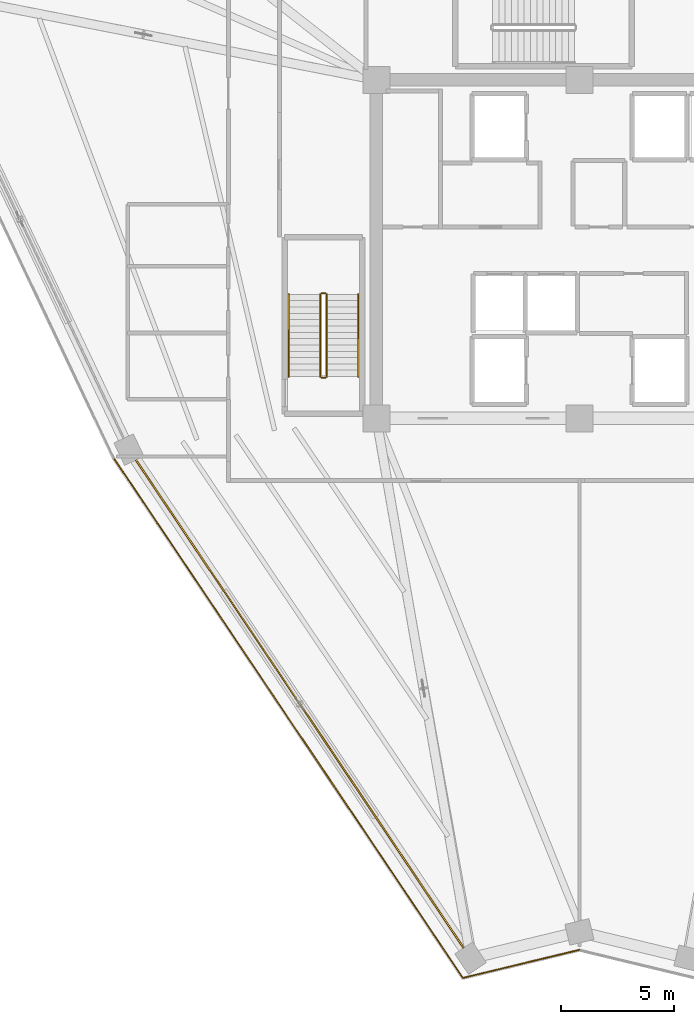
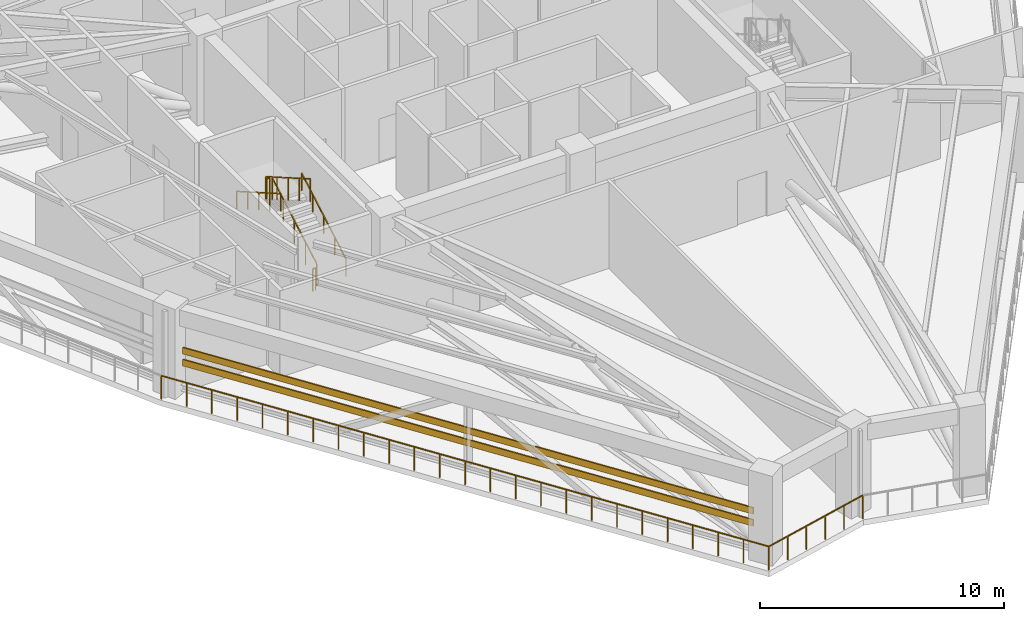
# One storey, part 18 of 22: 8 railings, 2 shading devices.
"""IFC4 building model written with IfcOpenShell, lengths in metres."""

from ifc_helpers import new_model, si_unit, direction, frame, origin, origin_2d, place, context, subcontext, project, spatial, rectangle, extrude, source, transform, mapped, material, material_profile, profile_set, type_object, element, save


model = new_model("IFC4")

# Units and contexts
model_context = context("Model", 3, precision=1e-05, world=origin(), true_north=direction((0.0, 1.0)))
body_context = subcontext(model_context, "Body", "Model", "MODEL_VIEW")
ifc_project = project(units=[si_unit("LENGTHUNIT", "METRE"), si_unit("AREAUNIT", "SQUARE_METRE"), si_unit("VOLUMEUNIT", "CUBIC_METRE"), si_unit("PLANEANGLEUNIT", "RADIAN"), si_unit("MASSUNIT", "GRAM", prefix="KILO")], contexts=[model_context])

# Site, building, storey
site_placement = place(None, origin())
site = spatial("IfcSite", under=ifc_project, at=site_placement, CompositionType="ELEMENT")
building_placement = place(site_placement, origin())
building = spatial("IfcBuilding", under=site, at=building_placement, Name="Liaohun Quay Tower", CompositionType="ELEMENT")
storey_placement = place(building_placement, frame((0.0, 0.0, 324.0)))
storey = spatial("IfcBuildingStorey", under=building, at=storey_placement, Name="L84", CompositionType="ELEMENT", Elevation=324.0)

# Railings
ifc_material_1 = material(Name="Galvanised and powder-coated steel", Category="steel")
railing_type_1 = type_object("IfcRailingType", Name="RLG-GUARD-EXT", PredefinedType="GUARDRAIL", material=ifc_material_1)
railing_1_placement = place(storey_placement, frame((54.8359375, 21.697021484375, 0.0)))
element("IfcRailing", 1, at=railing_1_placement, inside=storey, type_object=railing_type_1, Name="L84 Open Refuge Band Perimeter Guardrail 01", PredefinedType="GUARDRAIL", context=body_context, shape_type="SweptSolid", body=[
    extrude(rectangle(XDim=0.048095703125, YDim=0.048095703125, at=origin_2d()), frame((0.0, 0.0, 1.17578125), z_axis=(-0.557590210196, 0.83011635178, 0.0), x_axis=(-0.83011635178, -0.557590210196, 0.0)), (0.0, 0.0, 1.0), 27.747802734375),
    extrude(rectangle(XDim=0.0419921875, YDim=0.0419921875, at=origin_2d()), origin(), (0.0, 0.0, 1.0), 1.15185546875),
    extrude(rectangle(XDim=0.0419921875, YDim=0.0419921875, at=origin_2d()), frame((-0.644775390625, 0.959716796875, 0.0)), (0.0, 0.0, 1.0), 1.15185546875),
    extrude(rectangle(XDim=0.0419921875, YDim=0.0419921875, at=origin_2d()), frame((-1.289306640625, 1.91943359375, 0.0)), (0.0, 0.0, 1.0), 1.15185546875),
    extrude(rectangle(XDim=0.0419921875, YDim=0.0419921875, at=origin_2d()), frame((-1.93408203125, 2.879150390625, 0.0)), (0.0, 0.0, 1.0), 1.15185546875),
    extrude(rectangle(XDim=0.0419921875, YDim=0.0419921875, at=origin_2d()), frame((-2.57861328125, 3.8388671875, 0.0)), (0.0, 0.0, 1.0), 1.15185546875),
    extrude(rectangle(XDim=0.0419921875, YDim=0.0419921875, at=origin_2d()), frame((-3.223388671875, 4.798828125, 0.0)), (0.0, 0.0, 1.0), 1.15185546875),
    extrude(rectangle(XDim=0.0419921875, YDim=0.0419921875, at=origin_2d()), frame((-3.867919921875, 5.758544921875, 0.0)), (0.0, 0.0, 1.0), 1.15185546875),
    extrude(rectangle(XDim=0.0419921875, YDim=0.0419921875, at=origin_2d()), frame((-4.5126953125, 6.71826171875, 0.0)), (0.0, 0.0, 1.0), 1.15185546875),
    extrude(rectangle(XDim=0.0419921875, YDim=0.0419921875, at=origin_2d()), frame((-5.1572265625, 7.677978515625, 0.0)), (0.0, 0.0, 1.0), 1.15185546875),
    extrude(rectangle(XDim=0.0419921875, YDim=0.0419921875, at=origin_2d()), frame((-5.802001953125, 8.6376953125, 0.0)), (0.0, 0.0, 1.0), 1.15185546875),
    extrude(rectangle(XDim=0.0419921875, YDim=0.0419921875, at=origin_2d()), frame((-6.446533203125, 9.597412109375, 0.0)), (0.0, 0.0, 1.0), 1.15185546875),
    extrude(rectangle(XDim=0.0419921875, YDim=0.0419921875, at=origin_2d()), frame((-7.09130859375, 10.55712890625, 0.0)), (0.0, 0.0, 1.0), 1.15185546875),
    extrude(rectangle(XDim=0.0419921875, YDim=0.0419921875, at=origin_2d()), frame((-7.73583984375, 11.51708984375, 0.0)), (0.0, 0.0, 1.0), 1.15185546875),
    extrude(rectangle(XDim=0.0419921875, YDim=0.0419921875, at=origin_2d()), frame((-8.380615234375, 12.476806640625, 0.0)), (0.0, 0.0, 1.0), 1.15185546875),
    extrude(rectangle(XDim=0.0419921875, YDim=0.0419921875, at=origin_2d()), frame((-9.025390625, 13.4365234375, 0.0)), (0.0, 0.0, 1.0), 1.15185546875),
    extrude(rectangle(XDim=0.0419921875, YDim=0.0419921875, at=origin_2d()), frame((-9.669921875, 14.396240234375, 0.0)), (0.0, 0.0, 1.0), 1.15185546875),
    extrude(rectangle(XDim=0.0419921875, YDim=0.0419921875, at=origin_2d()), frame((-10.314697265625, 15.35595703125, 0.0)), (0.0, 0.0, 1.0), 1.15185546875),
    extrude(rectangle(XDim=0.0419921875, YDim=0.0419921875, at=origin_2d()), frame((-10.959228515625, 16.315673828125, 0.0)), (0.0, 0.0, 1.0), 1.15185546875),
    extrude(rectangle(XDim=0.0419921875, YDim=0.0419921875, at=origin_2d()), frame((-11.60400390625, 17.275390625, 0.0)), (0.0, 0.0, 1.0), 1.15185546875),
    extrude(rectangle(XDim=0.0419921875, YDim=0.0419921875, at=origin_2d()), frame((-12.24853515625, 18.235107421875, 0.0)), (0.0, 0.0, 1.0), 1.15185546875),
    extrude(rectangle(XDim=0.0419921875, YDim=0.0419921875, at=origin_2d()), frame((-12.893310546875, 19.19482421875, 0.0)), (0.0, 0.0, 1.0), 1.15185546875),
    extrude(rectangle(XDim=0.0419921875, YDim=0.0419921875, at=origin_2d()), frame((-13.537841796875, 20.15478515625, 0.0)), (0.0, 0.0, 1.0), 1.15185546875),
    extrude(rectangle(XDim=0.0419921875, YDim=0.0419921875, at=origin_2d()), frame((-14.1826171875, 21.114501953125, 0.0)), (0.0, 0.0, 1.0), 1.15185546875),
    extrude(rectangle(XDim=0.0419921875, YDim=0.0419921875, at=origin_2d()), frame((-14.8271484375, 22.07421875, 0.0)), (0.0, 0.0, 1.0), 1.15185546875),
    extrude(rectangle(XDim=0.0419921875, YDim=0.0419921875, at=origin_2d()), frame((-15.471923828125, 23.033935546875, 0.0)), (0.0, 0.0, 1.0), 1.15185546875),
])
railing_2_placement = place(storey_placement, frame((60.0, 22.943115234375, 0.0)))
element("IfcRailing", 2, at=railing_2_placement, inside=storey, type_object=railing_type_1, Name="L84 Open Refuge Band Perimeter Guardrail 12", PredefinedType="GUARDRAIL", context=body_context, shape_type="SweptSolid", body=[
    extrude(rectangle(XDim=0.048095703125, YDim=0.048095703125, at=origin_2d()), frame((0.0, 0.0, 1.17578125), z_axis=(-0.972099556279, -0.234568652385, 0.0), x_axis=(0.234568652385, -0.972099556279, 0.0)), (0.0, 0.0, 1.0), 5.312255859375),
    extrude(rectangle(XDim=0.0419921875, YDim=0.0419921875, at=origin_2d()), origin(), (0.0, 0.0, 1.0), 1.15185546875),
    extrude(rectangle(XDim=0.0419921875, YDim=0.0419921875, at=origin_2d()), frame((-1.03271484375, -0.249267578125, 0.0)), (0.0, 0.0, 1.0), 1.15185546875),
    extrude(rectangle(XDim=0.0419921875, YDim=0.0419921875, at=origin_2d()), frame((-2.065673828125, -0.49853515625, 0.0)), (0.0, 0.0, 1.0), 1.15185546875),
    extrude(rectangle(XDim=0.0419921875, YDim=0.0419921875, at=origin_2d()), frame((-3.098388671875, -0.74755859375, 0.0)), (0.0, 0.0, 1.0), 1.15185546875),
    extrude(rectangle(XDim=0.0419921875, YDim=0.0419921875, at=origin_2d()), frame((-4.13134765625, -0.996826171875, 0.0)), (0.0, 0.0, 1.0), 1.15185546875),
    extrude(rectangle(XDim=0.0419921875, YDim=0.0419921875, at=origin_2d()), frame((-5.1640625, -1.24609375, 0.0)), (0.0, 0.0, 1.0), 1.15185546875),
])
ifc_material_2 = material(Name="Painted tubular steel", Category="steel")
railing_type_2 = type_object("IfcRailingType", Name="RLG-GUARD-STR", PredefinedType="GUARDRAIL", material=ifc_material_2)
railing_3_placement = place(storey_placement, frame((48.81005859375, 48.35009765625, 0.16064453125)))
element("IfcRailing", 3, at=railing_3_placement, inside=storey, type_object=railing_type_2, Name="L84 ST-1 stair guard 1", PredefinedType="GUARDRAIL", context=body_context, shape_type="SweptSolid", body=[
    extrude(rectangle(XDim=0.048095703125, YDim=0.048095703125, at=origin_2d()), frame((0.0, 0.0, 1.1259765625), z_axis=(0.0, 0.8672749571, 0.497829437445), x_axis=(-1.0, 0.0, 0.0)), (0.0, 0.0, 1.0), 4.197021484375),
    extrude(rectangle(XDim=0.0419921875, YDim=0.0419921875, at=origin_2d()), origin(), (0.0, 0.0, 1.0), 1.101806640625),
    extrude(rectangle(XDim=0.0419921875, YDim=0.0419921875, at=origin_2d()), frame((0.0, 0.909912109375, 0.5224609375)), (0.0, 0.0, 1.0), 1.101806640625),
    extrude(rectangle(XDim=0.0419921875, YDim=0.0419921875, at=origin_2d()), frame((0.0, 1.81982421875, 1.044677734375)), (0.0, 0.0, 1.0), 1.101806640625),
    extrude(rectangle(XDim=0.0419921875, YDim=0.0419921875, at=origin_2d()), frame((0.0, 2.72998046875, 1.56689453125)), (0.0, 0.0, 1.0), 1.101806640625),
    extrude(rectangle(XDim=0.0419921875, YDim=0.0419921875, at=origin_2d()), frame((0.0, 3.639892578125, 2.08935546875)), (0.0, 0.0, 1.0), 1.101806640625),
])
railing_4_placement = place(storey_placement, frame((48.72998046875, 52.0400390625, 2.25)))
element("IfcRailing", 4, at=railing_4_placement, inside=storey, type_object=railing_type_2, Name="L84 ST-1 stair guard 2", PredefinedType="GUARDRAIL", context=body_context, shape_type="SweptSolid", body=[
    extrude(rectangle(XDim=0.048095703125, YDim=0.048095703125, at=origin_2d()), frame((0.0, 0.0, 1.1259765625), z_axis=(-1.0, 0.0, 0.0), x_axis=(0.0, -1.0, 0.0)), (0.0, 0.0, 1.0), 0.139892578125),
    extrude(rectangle(XDim=0.0419921875, YDim=0.0419921875, at=origin_2d()), origin(), (0.0, 0.0, 1.0), 1.101806640625),
    extrude(rectangle(XDim=0.0419921875, YDim=0.0419921875, at=origin_2d()), frame((-0.139892578125, 0.0, 0.0)), (0.0, 0.0, 1.0), 1.101806640625),
])
railing_5_placement = place(storey_placement, frame((48.510009765625, 51.989990234375, 2.41064453125)))
element("IfcRailing", 5, at=railing_5_placement, inside=storey, type_object=railing_type_2, Name="L84 ST-1 stair guard 3", PredefinedType="GUARDRAIL", context=body_context, shape_type="SweptSolid", body=[
    extrude(rectangle(XDim=0.048095703125, YDim=0.048095703125, at=origin_2d()), frame((0.0, 0.0, 1.1259765625), z_axis=(0.0, -0.8672749571, 0.497829437445), x_axis=(1.0, 0.0, 0.0)), (0.0, 0.0, 1.0), 4.197021484375),
    extrude(rectangle(XDim=0.0419921875, YDim=0.0419921875, at=origin_2d()), origin(), (0.0, 0.0, 1.0), 1.101806640625),
    extrude(rectangle(XDim=0.0419921875, YDim=0.0419921875, at=origin_2d()), frame((0.0, -0.909912109375, 0.5224609375)), (0.0, 0.0, 1.0), 1.101806640625),
    extrude(rectangle(XDim=0.0419921875, YDim=0.0419921875, at=origin_2d()), frame((0.0, -1.81982421875, 1.044677734375)), (0.0, 0.0, 1.0), 1.101806640625),
    extrude(rectangle(XDim=0.0419921875, YDim=0.0419921875, at=origin_2d()), frame((0.0, -2.72998046875, 1.56689453125)), (0.0, 0.0, 1.0), 1.101806640625),
    extrude(rectangle(XDim=0.0419921875, YDim=0.0419921875, at=origin_2d()), frame((0.0, -3.639892578125, 2.08935546875)), (0.0, 0.0, 1.0), 1.101806640625),
])
railing_6_placement = place(storey_placement, frame((48.72998046875, 48.300048828125, 0.0)))
element("IfcRailing", 6, at=railing_6_placement, inside=storey, type_object=railing_type_2, Name="L84 ST-1 stair guard 4", PredefinedType="GUARDRAIL", context=body_context, shape_type="SweptSolid", body=[
    extrude(rectangle(XDim=0.048095703125, YDim=0.048095703125, at=origin_2d()), frame((0.0, 0.0, 1.1259765625), z_axis=(-1.0, 0.0, 0.0), x_axis=(0.0, -1.0, 0.0)), (0.0, 0.0, 1.0), 0.139892578125),
    extrude(rectangle(XDim=0.0419921875, YDim=0.0419921875, at=origin_2d()), origin(), (0.0, 0.0, 1.0), 1.101806640625),
    extrude(rectangle(XDim=0.0419921875, YDim=0.0419921875, at=origin_2d()), frame((-0.139892578125, 0.0, 0.0)), (0.0, 0.0, 1.0), 1.101806640625),
])
ifc_material_3 = material(Name="Brushed stainless steel", Category="steel")
railing_type_3 = type_object("IfcRailingType", Name="RLG-HND-STR", PredefinedType="HANDRAIL", material=ifc_material_3)
railing_7_placement = place(storey_placement, frame((50.199951171875, 48.35009765625, 0.16064453125)))
element("IfcRailing", 7, at=railing_7_placement, inside=storey, type_object=railing_type_3, Name="L84 ST-1 stair handrail 1", PredefinedType="HANDRAIL", context=body_context, shape_type="SweptSolid", body=[
    extrude(rectangle(XDim=0.048095703125, YDim=0.048095703125, at=origin_2d()), frame((0.0, 0.0, 0.8759765625), z_axis=(0.0, 0.8672749571, 0.497829437445), x_axis=(-1.0, 0.0, 0.0)), (0.0, 0.0, 1.0), 4.197021484375),
    extrude(rectangle(XDim=0.0419921875, YDim=0.0419921875, at=origin_2d()), origin(), (0.0, 0.0, 1.0), 0.851806640625),
    extrude(rectangle(XDim=0.0419921875, YDim=0.0419921875, at=origin_2d()), frame((0.0, 0.909912109375, 0.5224609375)), (0.0, 0.0, 1.0), 0.851806640625),
    extrude(rectangle(XDim=0.0419921875, YDim=0.0419921875, at=origin_2d()), frame((0.0, 1.81982421875, 1.044677734375)), (0.0, 0.0, 1.0), 0.851806640625),
    extrude(rectangle(XDim=0.0419921875, YDim=0.0419921875, at=origin_2d()), frame((0.0, 2.72998046875, 1.56689453125)), (0.0, 0.0, 1.0), 0.851806640625),
    extrude(rectangle(XDim=0.0419921875, YDim=0.0419921875, at=origin_2d()), frame((0.0, 3.639892578125, 2.08935546875)), (0.0, 0.0, 1.0), 0.851806640625),
])
railing_8_placement = place(storey_placement, frame((47.1201171875, 51.989990234375, 2.41064453125)))
element("IfcRailing", 8, at=railing_8_placement, inside=storey, type_object=railing_type_3, Name="L84 ST-1 stair handrail 2", PredefinedType="HANDRAIL", context=body_context, shape_type="SweptSolid", body=[
    extrude(rectangle(XDim=0.048095703125, YDim=0.048095703125, at=origin_2d()), frame((0.0, 0.0, 0.8759765625), z_axis=(0.0, -0.8672749571, 0.497829437445), x_axis=(1.0, 0.0, 0.0)), (0.0, 0.0, 1.0), 4.197021484375),
    extrude(rectangle(XDim=0.0419921875, YDim=0.0419921875, at=origin_2d()), origin(), (0.0, 0.0, 1.0), 0.851806640625),
    extrude(rectangle(XDim=0.0419921875, YDim=0.0419921875, at=origin_2d()), frame((0.0, -0.909912109375, 0.5224609375)), (0.0, 0.0, 1.0), 0.851806640625),
    extrude(rectangle(XDim=0.0419921875, YDim=0.0419921875, at=origin_2d()), frame((0.0, -1.81982421875, 1.044677734375)), (0.0, 0.0, 1.0), 0.851806640625),
    extrude(rectangle(XDim=0.0419921875, YDim=0.0419921875, at=origin_2d()), frame((0.0, -2.72998046875, 1.56689453125)), (0.0, 0.0, 1.0), 0.851806640625),
    extrude(rectangle(XDim=0.0419921875, YDim=0.0419921875, at=origin_2d()), frame((0.0, -3.639892578125, 2.08935546875)), (0.0, 0.0, 1.0), 0.851806640625),
])

# Shading devices
ifc_material_4 = material(Name="Fluorocarbon-coated aluminium", Category="aluminium")
ifc_material_profile = material_profile(ifc_material_4, rectangle(XDim=0.06494140625, YDim=0.320068359375, at=origin_2d()), Name="ALU-LVR-320x65")
ifc_profile_set = profile_set([ifc_material_profile], Name="Fluorocarbon-coated aluminium")
shading_device_type = type_object("IfcShadingDeviceType", Name="SHD-LVR-REF", PredefinedType="USERDEFINED", material=ifc_profile_set)
shared_shape = source(origin(), body_context, "Body", "SweptSolid", [
    extrude(rectangle(XDim=0.06494140625, YDim=0.320068359375, at=origin_2d()), origin(), (0.0, 0.0, 1.0), 26.0751953125),
])
for number, where, z_axis, x_axis, name in (
    (9, (54.8759765625, 23.01904296875, 1.550048828125), (-0.557618008266, 0.830097679106, 0.0), (-0.830097679106, -0.557618008266, 0.0), "L84 Refuge Plant Acoustic Louvre Blade LV-1-01"),
    (10, (54.8759765625, 23.01904296875, 2.14990234375), (-0.557618008266, 0.830097679106, 0.0), (-0.830097679106, -0.557618008266, 0.0), "L84 Refuge Plant Acoustic Louvre Blade LV-1-02"),
):
    element("IfcShadingDevice", number, at=place(storey_placement, frame(where, z_axis=z_axis, x_axis=x_axis)), inside=storey, type_object=shading_device_type, Name=name, ObjectType="LOUVRE", PredefinedType="USERDEFINED", context=body_context, shape_type="MappedRepresentation", body=[
        mapped(shared_shape, transform((0.0, 0.0, 0.0), x_axis=(1.0, 0.0, 0.0), y_axis=(0.0, 1.0, 0.0), z_axis=(0.0, 0.0, 1.0), scale=1.0)),
    ])

save(model, "model.ifc")
